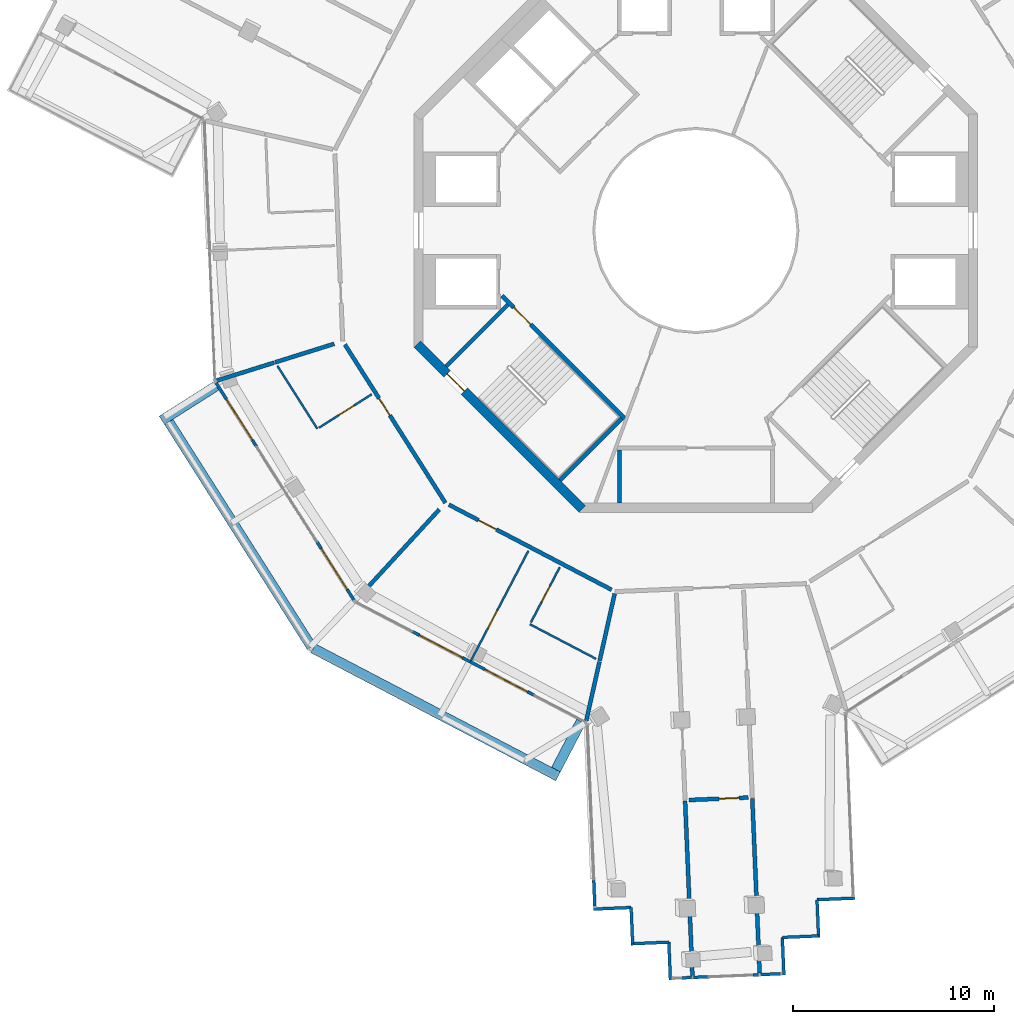
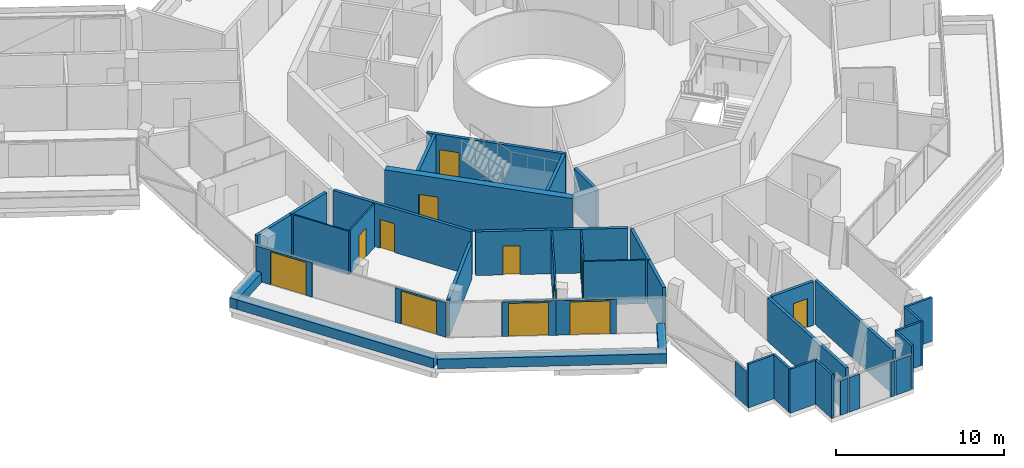
# One storey, part 15 of 23: 41 walls, 12 doors, 12 openings.
"""IFC4 building model written with IfcOpenShell, lengths in metres."""

from ifc_helpers import new_model, si_unit, direction, frame, frame_2d, origin, place, context, subcontext, project, spatial, rectangle, extrude, material, layer, layer_set, type_object, element, fill, save


model = new_model("IFC4")

# Units and contexts
model_context = context("Model", 3, precision=1e-05, world=origin(), true_north=direction((0.0, 1.0)))
body_context = subcontext(model_context, "Body", "Model", "MODEL_VIEW")
ifc_project = project(units=[si_unit("LENGTHUNIT", "METRE"), si_unit("AREAUNIT", "SQUARE_METRE"), si_unit("VOLUMEUNIT", "CUBIC_METRE"), si_unit("PLANEANGLEUNIT", "RADIAN"), si_unit("MASSUNIT", "GRAM", prefix="KILO")], contexts=[model_context])

# Site, building, storey
site_placement = place(None, origin())
site = spatial("IfcSite", under=ifc_project, at=site_placement, CompositionType="ELEMENT")
building_placement = place(site_placement, origin())
building = spatial("IfcBuilding", under=site, at=building_placement, Name="Verdalira Terraces Hotel", CompositionType="ELEMENT")
storey_placement = place(building_placement, frame((0.0, 0.0, 288.0)))
storey = spatial("IfcBuildingStorey", under=building, at=storey_placement, Name="L71", CompositionType="ELEMENT", Elevation=288.0)

# Walls
ifc_material_1 = material(Name="Concrete C40", Category="concrete")
ifc_layer_1 = layer(ifc_material_1, 0.5)
ifc_layer_set_1 = layer_set([ifc_layer_1], Name="Balcony planter trough with tree")
wall_type_1 = type_object("IfcWallType", Name="Balcony planter trough with tree", PredefinedType="SOLIDWALL", material=ifc_layer_set_1)
wall_1_placement = place(storey_placement, frame((-23.831787, -7.72168, 0.0), z_axis=(0.0, 0.0, 1.0), x_axis=(-0.844320788, -0.535838042, 0.0)))
element("IfcWall", 1, at=wall_1_placement, inside=storey, type_object=wall_type_1, Name="Balcony planter", PredefinedType="SOLIDWALL", context=body_context, shape_type="SweptSolid", body=[
    extrude(rectangle(XDim=3.198975, YDim=0.5, at=frame_2d((1.599609, 0.0))), origin(), (0.0, 0.0, 1.0), 0.699951),
])
wall_2_placement = place(storey_placement, frame((-26.187744, -9.512939, 0.0), z_axis=(0.0, 0.0, 1.0), x_axis=(0.535821402, -0.844331348, 0.0)))
element("IfcWall", 2, at=wall_2_placement, inside=storey, type_object=wall_type_1, Name="Balcony planter", PredefinedType="SOLIDWALL", context=body_context, shape_type="SweptSolid", body=[
    extrude(rectangle(XDim=13.223633, YDim=0.5, at=frame_2d((6.611816, 0.0))), origin(), (0.0, 0.0, 1.0), 0.699951),
])
wall_3_placement = place(storey_placement, frame((-19.00708, -20.765625, 0.0), z_axis=(0.0, 0.0, 1.0), x_axis=(0.886208346, -0.463286917, 0.0)))
element("IfcWall", 3, at=wall_3_placement, inside=storey, type_object=wall_type_1, Name="Balcony planter", PredefinedType="SOLIDWALL", context=body_context, shape_type="SweptSolid", body=[
    extrude(rectangle(XDim=13.723389, YDim=0.5, at=frame_2d((6.861816, 0.0))), origin(), (0.0, 0.0, 1.0), 0.699951),
])
wall_4_placement = place(storey_placement, frame((-6.950928, -26.786133, 0.0), z_axis=(0.0, 0.0, 1.0), x_axis=(0.463313949, 0.886194214, 0.0)))
element("IfcWall", 4, at=wall_4_placement, inside=storey, type_object=wall_type_1, Name="Balcony planter", PredefinedType="SOLIDWALL", context=body_context, shape_type="SweptSolid", body=[
    extrude(rectangle(XDim=2.698975, YDim=0.5, at=frame_2d((1.349609, 0.0))), origin(), (0.0, 0.0, 1.0), 0.699951),
])
ifc_material_2 = material(Name="Moisture-resistant gypsum board partition")
ifc_layer_2 = layer(ifc_material_2, 0.10009765625)
ifc_layer_set_2 = layer_set([ifc_layer_2], Name="Bathroom partition 100 mm")
wall_type_2 = type_object("IfcWallType", Name="Bathroom partition 100 mm", PredefinedType="PARTITIONING", material=ifc_layer_set_2)
wall_5_placement = place(storey_placement, frame((-18.806641, -9.852539, 0.0), z_axis=(0.0, 0.0, 1.0), x_axis=(-0.535851547, 0.844312217, 0.0)))
element("IfcWall", 5, at=wall_5_placement, inside=storey, type_object=wall_type_2, Name="Bathroom partition", PredefinedType="PARTITIONING", context=body_context, shape_type="SweptSolid", body=[
    extrude(rectangle(XDim=3.704102, YDim=0.100098, at=frame_2d((1.852051, 0.0))), origin(), (0.0, 0.0, 1.0), 3.189941),
])

# Wall, opening, door
wall_6_placement = place(storey_placement, frame((-18.722412, -9.799072, 0.0), z_axis=(0.0, 0.0, 1.0), x_axis=(0.844319142, 0.535840635, 0.0)))
wall_6 = element("IfcWall", 6, at=wall_6_placement, inside=storey, type_object=wall_type_2, Name="Bathroom partition", PredefinedType="PARTITIONING", context=body_context, shape_type="SweptSolid", body=[
    extrude(rectangle(XDim=3.100098, YDim=0.100098, at=frame_2d((1.550049, 0.0))), origin(), (0.0, 0.0, 1.0), 3.189941),
])
opening_1_placement = place(wall_6_placement, frame((1.149902, 0.0, 0.0)))
opening_1 = element("IfcOpeningElement", 7, at=opening_1_placement, cuts=wall_6, Name="Opening L71-109", PredefinedType="OPENING", context=body_context, shape_type="SweptSolid", body=[
    extrude(rectangle(XDim=0.899902, YDim=2.100098, at=frame_2d((0.449951, 1.050049))), frame((0.0, 0.060059, 0.0), z_axis=(0.0, -1.0, 0.0), x_axis=(1.0, 0.0, 0.0)), (0.0, 0.0, 1.0), 0.120117),
])
ifc_material_3 = material(Name="Timber door", Category="wood")
door_type_1 = type_object("IfcDoorType", Name="Bathroom door 900 x 2100", OperationType="NOTDEFINED", PredefinedType="DOOR", material=ifc_material_3)
door_1_placement = place(opening_1_placement, origin())
door_1 = element("IfcDoor", 8, at=door_1_placement, inside=storey, type_object=door_type_1, Name="Bathroom door 7103", OperationType="SINGLE_SWING_LEFT", OverallHeight=2.10009765625, OverallWidth=0.89990234375, PredefinedType="DOOR", context=body_context, shape_type="SweptSolid", body=[
    extrude(rectangle(XDim=0.899902, YDim=2.100098, at=frame_2d((0.449951, 1.050049))), frame((0.0, 0.024902, 0.0), z_axis=(0.0, -1.0, 0.0), x_axis=(1.0, 0.0, 0.0)), (0.0, 0.0, 1.0), 0.050049),
])
fill(opening_1, door_1)

wall_7_placement = place(storey_placement, frame((-8.320068, -15.914795, 0.0), z_axis=(0.0, 0.0, 1.0), x_axis=(-0.46327405, -0.886215072, 0.0)))
wall_7 = element("IfcWall", 9, at=wall_7_placement, inside=storey, type_object=wall_type_2, Name="Bathroom partition", PredefinedType="PARTITIONING", context=body_context, shape_type="SweptSolid", body=[
    extrude(rectangle(XDim=6.149902, YDim=0.100098, at=frame_2d((3.074951, 0.0))), origin(), (0.0, 0.0, 1.0), 3.189941),
])
opening_2_placement = place(wall_7_placement, frame((3.350098, 0.0, 0.0)))
opening_2 = element("IfcOpeningElement", 10, at=opening_2_placement, cuts=wall_7, Name="Opening L71-111", PredefinedType="OPENING", context=body_context, shape_type="SweptSolid", body=[
    extrude(rectangle(XDim=1.0, YDim=2.100098, at=frame_2d((0.5, 1.050049))), frame((0.0, 0.060059, 0.0), z_axis=(0.0, -1.0, 0.0), x_axis=(1.0, 0.0, 0.0)), (0.0, 0.0, 1.0), 0.120117),
])
ifc_material_4 = material(Name="Timber door", Category="wood")
door_type_2 = type_object("IfcDoorType", Name="Suite internal door 1000 x 2100", OperationType="NOTDEFINED", PredefinedType="DOOR", material=ifc_material_4)
door_2_placement = place(opening_2_placement, origin())
door_2 = element("IfcDoor", 11, at=door_2_placement, inside=storey, type_object=door_type_2, Name="Suite internal door 7104", OperationType="SINGLE_SWING_LEFT", OverallHeight=2.10009765625, OverallWidth=1.0, PredefinedType="DOOR", context=body_context, shape_type="SweptSolid", body=[
    extrude(rectangle(XDim=1.0, YDim=2.100098, at=frame_2d((0.5, 1.050049))), frame((0.0, 0.024902, 0.0), z_axis=(0.0, -1.0, 0.0), x_axis=(1.0, 0.0, 0.0)), (0.0, 0.0, 1.0), 0.050049),
])
fill(opening_2, door_2)

wall_8_placement = place(storey_placement, frame((-6.761719, -16.729492, 0.0), z_axis=(0.0, 0.0, 1.0), x_axis=(-0.463332934, -0.886184288, 0.0)))
wall_8 = element("IfcWall", 12, at=wall_8_placement, inside=storey, type_object=wall_type_2, Name="Bathroom partition", PredefinedType="PARTITIONING", context=body_context, shape_type="SweptSolid", body=[
    extrude(rectangle(XDim=3.099854, YDim=0.100098, at=frame_2d((1.549805, 0.0))), origin(), (0.0, 0.0, 1.0), 3.189941),
])
opening_3_placement = place(wall_8_placement, frame((1.050049, 0.0, 0.0)))
opening_3 = element("IfcOpeningElement", 13, at=opening_3_placement, cuts=wall_8, Name="Opening L71-112", PredefinedType="OPENING", context=body_context, shape_type="SweptSolid", body=[
    extrude(rectangle(XDim=0.899902, YDim=2.100098, at=frame_2d((0.449951, 1.050049))), frame((0.0, 0.060059, 0.0), z_axis=(0.0, -1.0, 0.0), x_axis=(1.0, 0.0, 0.0)), (0.0, 0.0, 1.0), 0.120117),
])
door_3_placement = place(opening_3_placement, origin())
door_3 = element("IfcDoor", 14, at=door_3_placement, inside=storey, type_object=door_type_1, Name="Bathroom door 7104", OperationType="SINGLE_SWING_RIGHT", OverallHeight=2.10009765625, OverallWidth=0.89990234375, PredefinedType="DOOR", context=body_context, shape_type="SweptSolid", body=[
    extrude(rectangle(XDim=0.899902, YDim=2.100098, at=frame_2d((0.449951, 1.050049))), frame((0.0, 0.024902, 0.0), z_axis=(0.0, -1.0, 0.0), x_axis=(1.0, 0.0, 0.0)), (0.0, 0.0, 1.0), 0.050049),
])
fill(opening_3, door_3)

# Walls
wall_9_placement = place(storey_placement, frame((-8.244385, -19.565186, 0.0), z_axis=(0.0, 0.0, 1.0), x_axis=(0.886200227, -0.463302447, 0.0)))
element("IfcWall", 15, at=wall_9_placement, inside=storey, type_object=wall_type_2, Name="Bathroom partition", PredefinedType="PARTITIONING", context=body_context, shape_type="SweptSolid", body=[
    extrude(rectangle(XDim=3.704102, YDim=0.100098, at=frame_2d((1.852051, 0.0))), origin(), (0.0, 0.0, 1.0), 3.189941),
])
ifc_material_5 = material(Name="Concrete C50", Category="concrete")
ifc_layer_3 = layer(ifc_material_5, 0.199951171875)
ifc_layer_set_3 = layer_set([ifc_layer_3], Name="Core RC wall 200 C50")
wall_type_3 = type_object("IfcWallType", Name="Core RC wall 200 C50", PredefinedType="SOLIDWALL", material=ifc_layer_set_3)
wall_10_placement = place(storey_placement, frame((-3.800049, -10.899902, 0.0), z_axis=(0.0, 0.0, 1.0), x_axis=(0.0, -1.0, 0.0)))
element("IfcWall", 16, at=wall_10_placement, inside=storey, type_object=wall_type_3, Name="L71 store side wall", PredefinedType="SOLIDWALL", context=body_context, shape_type="SweptSolid", body=[
    extrude(rectangle(XDim=2.650146, YDim=0.199951, at=frame_2d((1.325195, 0.0))), origin(), (0.0, 0.0, 1.0), 3.189941),
])

# Wall, opening, door
wall_11_placement = place(storey_placement, frame((-3.5354, -9.33374, 0.0), z_axis=(0.0, 0.0, 1.0), x_axis=(-0.707120946, 0.707092617, 0.0)))
wall_11 = element("IfcWall", 17, at=wall_11_placement, inside=storey, type_object=wall_type_3, Name="L71 stair ST2 front wall", PredefinedType="SOLIDWALL", context=body_context, shape_type="SweptSolid", body=[
    extrude(rectangle(XDim=8.61792, YDim=0.199951, at=frame_2d((4.309082, 0.0))), origin(), (0.0, 0.0, 1.0), 3.189941),
])
opening_4_placement = place(wall_11_placement, frame((6.600098, 0.0, 0.0)))
opening_4 = element("IfcOpeningElement", 18, at=opening_4_placement, cuts=wall_11, Name="Opening L71-811", PredefinedType="OPENING", context=body_context, shape_type="SweptSolid", body=[
    extrude(rectangle(XDim=1.199951, YDim=2.100098, at=frame_2d((0.600098, 1.050049))), frame((0.0, 0.109863, 0.0), z_axis=(0.0, -1.0, 0.0), x_axis=(1.0, 0.0, 0.0)), (0.0, 0.0, 1.0), 0.219971),
])
ifc_material_6 = material(Name="Steel fire door", Category="steel")
door_type_3 = type_object("IfcDoorType", Name="Stair door 1200 x 2100", OperationType="NOTDEFINED", PredefinedType="DOOR", material=ifc_material_6)
door_4_placement = place(opening_4_placement, origin())
door_4 = element("IfcDoor", 19, at=door_4_placement, inside=storey, type_object=door_type_3, Name="Stair door ST2 L71", OperationType="SINGLE_SWING_RIGHT", OverallHeight=2.10009765625, OverallWidth=1.199951171875, PredefinedType="DOOR", context=body_context, shape_type="SweptSolid", body=[
    extrude(rectangle(XDim=1.199951, YDim=2.100098, at=frame_2d((0.600098, 1.050049))), frame((0.0, 0.024902, 0.0), z_axis=(0.0, -1.0, 0.0), x_axis=(1.0, 0.0, 0.0)), (0.0, 0.0, 1.0), 0.050049),
])
fill(opening_4, door_4)

# Walls
for number, where, z_axis, x_axis, name in (
    (20, (-9.33374, -3.677002, 0.0), (0.0, 0.0, 1.0), (-0.707106781, -0.707106781, 0.0), "L71 stair ST2 end wall 1"),
    (21, (-3.677002, -9.33374, 0.0), (0.0, 0.0, 1.0), (-0.707106781, -0.707106781, 0.0), "L71 stair ST2 end wall 2"),
):
    element("IfcWall", number, at=place(storey_placement, frame(where, z_axis=z_axis, x_axis=x_axis)), inside=storey, type_object=wall_type_3, Name=name, PredefinedType="SOLIDWALL", context=body_context, shape_type="SweptSolid", body=[
        extrude(rectangle(XDim=4.350098, YDim=0.199951, at=frame_2d((2.175049, 0.0))), origin(), (0.0, 0.0, 1.0), 3.189941),
    ])

# Wall, opening, door
ifc_material_7 = material(Name="Concrete C50", Category="concrete")
ifc_layer_4 = layer(ifc_material_7, 0.449951171875)
ifc_layer_set_4 = layer_set([ifc_layer_4], Name="Core wall 450 C50")
wall_type_4 = type_object("IfcWallType", Name="Core wall 450 C50", PredefinedType="SHEAR", material=ifc_layer_set_4)
wall_12_placement = place(storey_placement, frame((-13.84082, -5.639893, 0.0), z_axis=(0.0, 0.0, 1.0), x_axis=(0.707106781, -0.707106781, 0.0)))
wall_12 = element("IfcWall", 22, at=wall_12_placement, inside=storey, type_object=wall_type_4, Name="Core wall CW-L71-6", PredefinedType="SHEAR", context=body_context, shape_type="SweptSolid", body=[
    extrude(rectangle(XDim=11.5979, YDim=0.449951, at=frame_2d((5.798828, 0.0))), origin(), (0.0, 0.0, 1.0), 3.5),
])
opening_5_placement = place(wall_12_placement, frame((2.099121, 0.0, 0.0)))
opening_5 = element("IfcOpeningElement", 23, at=opening_5_placement, cuts=wall_12, Name="Opening L71-817", PredefinedType="OPENING", context=body_context, shape_type="SweptSolid", body=[
    extrude(rectangle(XDim=1.199951, YDim=2.100098, at=frame_2d((0.600098, 1.050049))), frame((0.0, 0.234863, 0.0), z_axis=(0.0, -1.0, 0.0), x_axis=(1.0, 0.0, 0.0)), (0.0, 0.0, 1.0), 0.469971),
])
door_5_placement = place(opening_5_placement, origin())
door_5 = element("IfcDoor", 24, at=door_5_placement, inside=storey, type_object=door_type_3, Name="Stair exit door ST2 L71", OperationType="SINGLE_SWING_LEFT", OverallHeight=2.10009765625, OverallWidth=1.199951171875, PredefinedType="DOOR", context=body_context, shape_type="SweptSolid", body=[
    extrude(rectangle(XDim=1.199951, YDim=2.100098, at=frame_2d((0.600098, 1.050049))), frame((0.0, 0.024902, 0.0), z_axis=(0.0, -1.0, 0.0), x_axis=(1.0, 0.0, 0.0)), (0.0, 0.0, 1.0), 0.050049),
])
fill(opening_5, door_5)

# Walls
ifc_material_8 = material(Name="Fire-rated gypsum board wall")
ifc_layer_5 = layer(ifc_material_8, 0.199951171875)
ifc_layer_set_5 = layer_set([ifc_layer_5], Name="Demising wall 200 mm")
wall_type_5 = type_object("IfcWallType", Name="Demising wall 200 mm", PredefinedType="SOLIDWALL", material=ifc_layer_set_5)
wall_13_placement = place(storey_placement, frame((-20.947998, -6.564697, 0.0), z_axis=(0.0, 0.0, 1.0), x_axis=(-0.954235882, -0.29905498, 0.0)))
element("IfcWall", 25, at=wall_13_placement, inside=storey, type_object=wall_type_5, Name="Demising wall", PredefinedType="SOLIDWALL", context=body_context, shape_type="SweptSolid", body=[
    extrude(rectangle(XDim=3.011719, YDim=0.199951, at=frame_2d((1.505859, 0.0))), origin(), (0.0, 0.0, 1.0), 3.189941),
])
wall_14_placement = place(storey_placement, frame((-17.970215, -5.631592, 0.0), z_axis=(0.0, 0.0, 1.0), x_axis=(-0.954245152, -0.299025399, 0.0)))
element("IfcWall", 26, at=wall_14_placement, inside=storey, type_object=wall_type_5, Name="Demising wall", PredefinedType="SOLIDWALL", context=body_context, shape_type="SweptSolid", body=[
    extrude(rectangle(XDim=3.074707, YDim=0.199951, at=frame_2d((1.537354, 0.0))), origin(), (0.0, 0.0, 1.0), 3.189941),
])
wall_15_placement = place(storey_placement, frame((-5.445801, -24.362793, 0.0), z_axis=(0.0, 0.0, 1.0), x_axis=(0.218175034, 0.975909655, 0.0)))
element("IfcWall", 27, at=wall_15_placement, inside=storey, type_object=wall_type_5, Name="Demising wall", PredefinedType="SOLIDWALL", context=body_context, shape_type="SweptSolid", body=[
    extrude(rectangle(XDim=3.01123, YDim=0.199951, at=frame_2d((1.505615, 0.0))), origin(), (0.0, 0.0, 1.0), 3.189941),
])
wall_16_placement = place(storey_placement, frame((-4.778809, -21.37915, 0.0), z_axis=(0.0, 0.0, 1.0), x_axis=(0.218109953, 0.975924202, 0.0)))
element("IfcWall", 28, at=wall_16_placement, inside=storey, type_object=wall_type_5, Name="Demising wall", PredefinedType="SOLIDWALL", context=body_context, shape_type="SweptSolid", body=[
    extrude(rectangle(XDim=3.418457, YDim=0.199951, at=frame_2d((1.709229, 0.0))), origin(), (0.0, 0.0, 1.0), 3.189941),
])
wall_17_placement = place(storey_placement, frame((-0.532715, -28.353516, 0.0), z_axis=(0.0, 0.0, 1.0), x_axis=(0.041867644, -0.999123166, 0.0)))
element("IfcWall", 29, at=wall_17_placement, inside=storey, type_object=wall_type_5, Name="Demising wall", PredefinedType="SOLIDWALL", context=body_context, shape_type="SweptSolid", body=[
    extrude(rectangle(XDim=8.694336, YDim=0.199951, at=frame_2d((4.347168, 0.0))), origin(), (0.0, 0.0, 1.0), 3.189941),
])

# Wall, opening, door
wall_18_placement = place(storey_placement, frame((2.60376, -28.174072, 0.0), z_axis=(0.0, 0.0, 1.0), x_axis=(-0.999124565, -0.041834243, 0.0)))
wall_18 = element("IfcWall", 30, at=wall_18_placement, inside=storey, type_object=wall_type_5, Name="Demising wall", PredefinedType="SOLIDWALL", context=body_context, shape_type="SweptSolid", body=[
    extrude(rectangle(XDim=2.941406, YDim=0.199951, at=frame_2d((1.470703, 0.0))), origin(), (0.0, 0.0, 1.0), 3.189941),
])
opening_6_placement = place(wall_18_placement, frame((0.449951, 0.0, 0.0)))
opening_6 = element("IfcOpeningElement", 31, at=opening_6_placement, cuts=wall_18, Name="Opening L71-116", PredefinedType="OPENING", context=body_context, shape_type="SweptSolid", body=[
    extrude(rectangle(XDim=1.0, YDim=2.100098, at=frame_2d((0.5, 1.050049))), frame((0.0, 0.109863, 0.0), z_axis=(0.0, -1.0, 0.0), x_axis=(1.0, 0.0, 0.0)), (0.0, 0.0, 1.0), 0.219971),
])
ifc_material_9 = material(Name="Timber fire door", Category="wood")
door_type_4 = type_object("IfcDoorType", Name="Public room door 1000 x 2100", OperationType="NOTDEFINED", PredefinedType="DOOR", material=ifc_material_9)
door_6_placement = place(opening_6_placement, origin())
door_6 = element("IfcDoor", 32, at=door_6_placement, inside=storey, type_object=door_type_4, Name="Public room door 7105", OperationType="SINGLE_SWING_LEFT", OverallHeight=2.10009765625, OverallWidth=1.0, PredefinedType="DOOR", context=body_context, shape_type="SweptSolid", body=[
    extrude(rectangle(XDim=1.0, YDim=2.100098, at=frame_2d((0.5, 1.050049))), frame((0.0, 0.024902, 0.0), z_axis=(0.0, -1.0, 0.0), x_axis=(1.0, 0.0, 0.0)), (0.0, 0.0, 1.0), 0.050049),
])
fill(opening_6, door_6)

# Walls
wall_19_placement = place(storey_placement, frame((3.169678, -36.900391, 0.0), z_axis=(0.0, 0.0, 1.0), x_axis=(-0.041895675, 0.999121991, 0.0)))
element("IfcWall", 33, at=wall_19_placement, inside=storey, type_object=wall_type_5, Name="Demising wall", PredefinedType="SOLIDWALL", context=body_context, shape_type="SweptSolid", body=[
    extrude(rectangle(XDim=8.694336, YDim=0.199951, at=frame_2d((4.347168, 0.0))), origin(), (0.0, 0.0, 1.0), 3.189941),
])
ifc_material_10 = material(Name="Fire-rated gypsum board wall")
ifc_layer_6 = layer(ifc_material_10, 0.199951171875)
ifc_layer_set_6 = layer_set([ifc_layer_6], Name="Demising wall 200 mm to beam soffit")
wall_type_6 = type_object("IfcWallType", Name="Demising wall 200 mm to beam soffit", PredefinedType="SOLIDWALL", material=ifc_layer_set_6)
wall_20_placement = place(storey_placement, frame((-12.74707, -13.862305, 0.0), z_axis=(0.0, 0.0, 1.0), x_axis=(-0.676863295, -0.736108742, 0.0)))
element("IfcWall", 34, at=wall_20_placement, inside=storey, type_object=wall_type_6, Name="Demising wall", PredefinedType="SOLIDWALL", context=body_context, shape_type="SweptSolid", body=[
    extrude(rectangle(XDim=6.131836, YDim=0.199951, at=frame_2d((3.065918, 0.0))), origin(), (0.0, 0.0, 1.0), 2.689941),
])

# Wall, opening, door
ifc_material_11 = material(Name="Fire-rated gypsum board wall")
ifc_layer_7 = layer(ifc_material_11, 0.199951171875)
ifc_layer_set_7 = layer_set([ifc_layer_7], Name="Guest corridor wall 200 mm")
wall_type_7 = type_object("IfcWallType", Name="Guest corridor wall 200 mm", PredefinedType="SOLIDWALL", material=ifc_layer_set_7)
wall_21_placement = place(storey_placement, frame((-12.444092, -13.532959, 0.0), z_axis=(0.0, 0.0, 1.0), x_axis=(-0.535837373, 0.844321212, 0.0)))
wall_21 = element("IfcWall", 35, at=wall_21_placement, inside=storey, type_object=wall_type_7, Name="Guest corridor wall", PredefinedType="SOLIDWALL", context=body_context, shape_type="SweptSolid", body=[
    extrude(rectangle(XDim=9.31665, YDim=0.199951, at=frame_2d((4.658203, 0.0))), origin(), (0.0, 0.0, 1.0), 3.189941),
])
opening_7_placement = place(wall_21_placement, frame((5.149902, 0.0, 0.0)))
opening_7 = element("IfcOpeningElement", 36, at=opening_7_placement, cuts=wall_21, Name="Opening L71-108", PredefinedType="OPENING", context=body_context, shape_type="SweptSolid", body=[
    extrude(rectangle(XDim=1.0, YDim=2.100098, at=frame_2d((0.5, 1.050049))), frame((0.0, 0.109863, 0.0), z_axis=(0.0, -1.0, 0.0), x_axis=(1.0, 0.0, 0.0)), (0.0, 0.0, 1.0), 0.219971),
])
ifc_material_12 = material(Name="Timber fire door", Category="wood")
door_type_5 = type_object("IfcDoorType", Name="Guest entry door 1000 x 2100", OperationType="NOTDEFINED", PredefinedType="DOOR", material=ifc_material_12)
door_7_placement = place(opening_7_placement, origin())
door_7 = element("IfcDoor", 37, at=door_7_placement, inside=storey, type_object=door_type_5, Name="Guest entry door 7103", OperationType="SINGLE_SWING_LEFT", OverallHeight=2.10009765625, OverallWidth=1.0, PredefinedType="DOOR", context=body_context, shape_type="SweptSolid", body=[
    extrude(rectangle(XDim=1.0, YDim=2.100098, at=frame_2d((0.5, 1.050049))), frame((0.0, 0.024902, 0.0), z_axis=(0.0, -1.0, 0.0), x_axis=(1.0, 0.0, 0.0)), (0.0, 0.0, 1.0), 0.050049),
])
fill(opening_7, door_7)

wall_22_placement = place(storey_placement, frame((-4.187744, -17.849365, 0.0), z_axis=(0.0, 0.0, 1.0), x_axis=(-0.886199207, 0.463304399, 0.0)))
wall_22 = element("IfcWall", 38, at=wall_22_placement, inside=storey, type_object=wall_type_7, Name="Guest corridor wall", PredefinedType="SOLIDWALL", context=body_context, shape_type="SweptSolid", body=[
    extrude(rectangle(XDim=9.116943, YDim=0.199951, at=frame_2d((4.558594, 0.0))), origin(), (0.0, 0.0, 1.0), 3.189941),
])
opening_8_placement = place(wall_22_placement, frame((6.458252, 0.0, 0.0)))
opening_8 = element("IfcOpeningElement", 39, at=opening_8_placement, cuts=wall_22, Name="Opening L71-110", PredefinedType="OPENING", context=body_context, shape_type="SweptSolid", body=[
    extrude(rectangle(XDim=1.0, YDim=2.100098, at=frame_2d((0.5, 1.050049))), frame((0.0, 0.109863, 0.0), z_axis=(0.0, -1.0, 0.0), x_axis=(1.0, 0.0, 0.0)), (0.0, 0.0, 1.0), 0.219971),
])
door_8_placement = place(opening_8_placement, origin())
door_8 = element("IfcDoor", 40, at=door_8_placement, inside=storey, type_object=door_type_5, Name="Guest entry door 7104", OperationType="SINGLE_SWING_LEFT", OverallHeight=2.10009765625, OverallWidth=1.0, PredefinedType="DOOR", context=body_context, shape_type="SweptSolid", body=[
    extrude(rectangle(XDim=1.0, YDim=2.100098, at=frame_2d((0.5, 1.050049))), frame((0.0, 0.024902, 0.0), z_axis=(0.0, -1.0, 0.0), x_axis=(1.0, 0.0, 0.0)), (0.0, 0.0, 1.0), 0.050049),
])
fill(opening_8, door_8)

# Walls
ifc_material_13 = material(Name="Terracotta cladding", Category="masonry")
ifc_layer_8 = layer(ifc_material_13, 0.14990234375)
ifc_layer_set_8 = layer_set([ifc_layer_8], Name="Terracotta clad wall 150")
wall_type_8 = type_object("IfcWallType", Name="Terracotta clad wall 150", PredefinedType="SOLIDWALL", material=ifc_layer_set_8)
wall_23_placement = place(storey_placement, frame((-5.092529, -33.718506, 0.0), z_axis=(0.0, 0.0, 1.0), x_axis=(0.999120617, 0.041928429, 0.0)))
element("IfcWall", 41, at=wall_23_placement, inside=storey, type_object=wall_type_8, Name="Terracotta cladding wall", PredefinedType="SOLIDWALL", context=body_context, shape_type="SweptSolid", body=[
    extrude(rectangle(XDim=1.875, YDim=0.149902, at=frame_2d((0.9375, 0.0))), origin(), (0.0, 0.0, 1.0), 3.189941),
])
wall_24_placement = place(storey_placement, frame((-3.219238, -33.639893, 0.0), z_axis=(0.0, 0.0, 1.0), x_axis=(0.041906957, -0.999121518, 0.0)))
element("IfcWall", 42, at=wall_24_placement, inside=storey, type_object=wall_type_8, Name="Terracotta cladding wall", PredefinedType="SOLIDWALL", context=body_context, shape_type="SweptSolid", body=[
    extrude(rectangle(XDim=1.800049, YDim=0.149902, at=frame_2d((0.899902, 0.0))), origin(), (0.0, 0.0, 1.0), 3.189941),
])
wall_25_placement = place(storey_placement, frame((-3.21875, -35.44165, 0.0), z_axis=(0.0, 0.0, 1.0), x_axis=(0.999120846, 0.041922975, 0.0)))
element("IfcWall", 43, at=wall_25_placement, inside=storey, type_object=wall_type_8, Name="Terracotta cladding wall", PredefinedType="SOLIDWALL", context=body_context, shape_type="SweptSolid", body=[
    extrude(rectangle(XDim=1.875244, YDim=0.149902, at=frame_2d((0.9375, 0.0))), origin(), (0.0, 0.0, 1.0), 3.189941),
])
for number, where, z_axis, x_axis, name in (
    (44, (-1.345215, -35.363037, 0.0), (0.0, 0.0, 1.0), (0.041798445, -0.999126063, 0.0), "Terracotta cladding wall"),
    (45, (4.378174, -36.999756, 0.0), (0.0, 0.0, 1.0), (-0.041798445, 0.999126063, 0.0), "Terracotta cladding wall"),
):
    element("IfcWall", number, at=place(storey_placement, frame(where, z_axis=z_axis, x_axis=x_axis)), inside=storey, type_object=wall_type_8, Name=name, PredefinedType="SOLIDWALL", context=body_context, shape_type="SweptSolid", body=[
        extrude(rectangle(XDim=1.875, YDim=0.149902, at=frame_2d((0.9375, 0.0))), origin(), (0.0, 0.0, 1.0), 3.189941),
    ])
wall_26_placement = place(storey_placement, frame((4.299805, -35.126465, 0.0), z_axis=(0.0, 0.0, 1.0), x_axis=(0.999121279, 0.041912636, 0.0)))
element("IfcWall", 46, at=wall_26_placement, inside=storey, type_object=wall_type_8, Name="Terracotta cladding wall", PredefinedType="SOLIDWALL", context=body_context, shape_type="SweptSolid", body=[
    extrude(rectangle(XDim=1.799805, YDim=0.149902, at=frame_2d((0.899902, 0.0))), origin(), (0.0, 0.0, 1.0), 3.189941),
])
for number, where, z_axis, x_axis, name in (
    (47, (6.101318, -35.125977, 0.0), (0.0, 0.0, 1.0), (-0.041928429, 0.999120617, 0.0), "Terracotta cladding wall"),
    (48, (6.022705, -33.252686, 0.0), (0.0, 0.0, 1.0), (0.999120617, 0.041928429, 0.0), "Terracotta cladding wall"),
):
    element("IfcWall", number, at=place(storey_placement, frame(where, z_axis=z_axis, x_axis=x_axis)), inside=storey, type_object=wall_type_8, Name=name, PredefinedType="SOLIDWALL", context=body_context, shape_type="SweptSolid", body=[
        extrude(rectangle(XDim=1.875, YDim=0.149902, at=frame_2d((0.9375, 0.0))), origin(), (0.0, 0.0, 1.0), 3.189941),
    ])
ifc_material_14 = material(Name="Terracotta cladding", Category="masonry")
ifc_layer_9 = layer(ifc_material_14, 0.14990234375)
ifc_layer_set_9 = layer_set([ifc_layer_9], Name="Terracotta column pier 150")
wall_type_9 = type_object("IfcWallType", Name="Terracotta column pier 150", PredefinedType="SOLIDWALL", material=ifc_layer_set_9)
wall_27_placement = place(storey_placement, frame((-5.076904, -32.301514, 0.0), z_axis=(0.0, 0.0, 1.0), x_axis=(0.041902373, -0.99912171, 0.0)))
element("IfcWall", 49, at=wall_27_placement, inside=storey, type_object=wall_type_9, Name="Terracotta column pier", PredefinedType="SOLIDWALL", context=body_context, shape_type="SweptSolid", body=[
    extrude(rectangle(XDim=1.270264, YDim=0.149902, at=frame_2d((0.635254, 0.0))), origin(), (0.0, 0.0, 1.0), 2.524902),
])
wall_28_placement = place(storey_placement, frame((-0.715332, -37.138184, 0.0), z_axis=(0.0, 0.0, 1.0), x_axis=(0.999133073, 0.041630545, 0.0)))
element("IfcWall", 50, at=wall_28_placement, inside=storey, type_object=wall_type_9, Name="Terracotta column pier", PredefinedType="SOLIDWALL", context=body_context, shape_type="SweptSolid", body=[
    extrude(rectangle(XDim=0.510254, YDim=0.149902, at=frame_2d((0.255127, 0.0))), origin(), (0.0, 0.0, 1.0), 2.524902),
])
wall_29_placement = place(storey_placement, frame((-0.125488, -37.113525, 0.0), z_axis=(0.0, 0.0, 1.0), x_axis=(0.999126426, 0.041789771, 0.0)))
element("IfcWall", 51, at=wall_29_placement, inside=storey, type_object=wall_type_9, Name="Terracotta column pier", PredefinedType="SOLIDWALL", context=body_context, shape_type="SweptSolid", body=[
    extrude(rectangle(XDim=0.765381, YDim=0.149902, at=frame_2d((0.382812, 0.0))), origin(), (0.0, 0.0, 1.0), 2.524902),
])
wall_30_placement = place(storey_placement, frame((2.833008, -36.989502, 0.0), z_axis=(0.0, 0.0, 1.0), x_axis=(0.999138704, 0.041495174, 0.0)))
element("IfcWall", 52, at=wall_30_placement, inside=storey, type_object=wall_type_9, Name="Terracotta column pier", PredefinedType="SOLIDWALL", context=body_context, shape_type="SweptSolid", body=[
    extrude(rectangle(XDim=0.300049, YDim=0.149902, at=frame_2d((0.149902, 0.0))), origin(), (0.0, 0.0, 1.0), 2.524902),
])
wall_31_placement = place(storey_placement, frame((3.212646, -36.973633, 0.0), z_axis=(0.0, 0.0, 1.0), x_axis=(0.999122552, 0.041882288, 0.0)))
element("IfcWall", 53, at=wall_31_placement, inside=storey, type_object=wall_type_9, Name="Terracotta column pier", PredefinedType="SOLIDWALL", context=body_context, shape_type="SweptSolid", body=[
    extrude(rectangle(XDim=1.008545, YDim=0.149902, at=frame_2d((0.504395, 0.0))), origin(), (0.0, 0.0, 1.0), 2.524902),
])

# Wall, opening, door
ifc_material_15 = material(Name="Terracotta cladding", Category="masonry")
ifc_layer_10 = layer(ifc_material_15, 0.14990234375)
ifc_layer_set_10 = layer_set([ifc_layer_10], Name="Terracotta door pier 150")
wall_type_10 = type_object("IfcWallType", Name="Terracotta door pier 150", PredefinedType="SOLIDWALL", material=ifc_layer_set_10)
wall_32_placement = place(storey_placement, frame((-23.8479, -7.554443, 0.0), z_axis=(0.0, 0.0, 1.0), x_axis=(0.535827975, -0.844327176, 0.0)))
wall_32 = element("IfcWall", 54, at=wall_32_placement, inside=storey, type_object=wall_type_10, Name="Terracotta door pier", PredefinedType="SOLIDWALL", context=body_context, shape_type="SweptSolid", body=[
    extrude(rectangle(XDim=3.786865, YDim=0.149902, at=frame_2d((1.893555, 0.0))), origin(), (0.0, 0.0, 1.0), 2.524902),
])
opening_9_placement = place(wall_32_placement, frame((0.986572, 0.0, 0.0)))
opening_9 = element("IfcOpeningElement", 55, at=opening_9_placement, cuts=wall_32, Name="Opening L71-B04", PredefinedType="OPENING", context=body_context, shape_type="SweptSolid", body=[
    extrude(rectangle(XDim=2.399902, YDim=2.399902, at=frame_2d((1.199951, 1.199951))), frame((0.0, 0.084961, 0.0), z_axis=(0.0, -1.0, 0.0), x_axis=(1.0, 0.0, 0.0)), (0.0, 0.0, 1.0), 0.169922),
])
ifc_material_16 = material(Name="Clear glass", Category="glass")
door_type_6 = type_object("IfcDoorType", Name="Balcony sliding door 2400x2400", OperationType="NOTDEFINED", PredefinedType="DOOR", material=ifc_material_16)
door_9_placement = place(opening_9_placement, origin())
door_9 = element("IfcDoor", 56, at=door_9_placement, inside=storey, type_object=door_type_6, Name="Balcony sliding door", OperationType="SLIDING_TO_LEFT", OverallHeight=2.39990234375, OverallWidth=2.39990234375, PredefinedType="DOOR", context=body_context, shape_type="SweptSolid", body=[
    extrude(rectangle(XDim=2.399902, YDim=2.399902, at=frame_2d((1.199951, 1.199951))), frame((0.0, 0.024902, 0.0), z_axis=(0.0, -1.0, 0.0), x_axis=(1.0, 0.0, 0.0)), (0.0, 0.0, 1.0), 0.050049),
])
fill(opening_9, door_9)

wall_33_placement = place(storey_placement, frame((-18.825684, -15.468262, 0.0), z_axis=(0.0, 0.0, 1.0), x_axis=(0.53583323, -0.844323842, 0.0)))
wall_33 = element("IfcWall", 57, at=wall_33_placement, inside=storey, type_object=wall_type_10, Name="Terracotta door pier", PredefinedType="SOLIDWALL", context=body_context, shape_type="SweptSolid", body=[
    extrude(rectangle(XDim=3.426758, YDim=0.149902, at=frame_2d((1.713379, 0.0))), origin(), (0.0, 0.0, 1.0), 2.524902),
])
opening_10_placement = place(wall_33_placement, frame((0.399902, 0.0, 0.0)))
opening_10 = element("IfcOpeningElement", 58, at=opening_10_placement, cuts=wall_33, Name="Opening L71-B05", PredefinedType="OPENING", context=body_context, shape_type="SweptSolid", body=[
    extrude(rectangle(XDim=2.399902, YDim=2.399902, at=frame_2d((1.199951, 1.199951))), frame((0.0, 0.084961, 0.0), z_axis=(0.0, -1.0, 0.0), x_axis=(1.0, 0.0, 0.0)), (0.0, 0.0, 1.0), 0.169922),
])
door_10_placement = place(opening_10_placement, origin())
door_10 = element("IfcDoor", 59, at=door_10_placement, inside=storey, type_object=door_type_6, Name="Balcony sliding door", OperationType="SLIDING_TO_RIGHT", OverallHeight=2.39990234375, OverallWidth=2.39990234375, PredefinedType="DOOR", context=body_context, shape_type="SweptSolid", body=[
    extrude(rectangle(XDim=2.399902, YDim=2.399902, at=frame_2d((1.199951, 1.199951))), frame((0.0, 0.024902, 0.0), z_axis=(0.0, -1.0, 0.0), x_axis=(1.0, 0.0, 0.0)), (0.0, 0.0, 1.0), 0.050049),
])
fill(opening_10, door_10)

wall_34_placement = place(storey_placement, frame((-14.084229, -19.925537, 0.0), z_axis=(0.0, 0.0, 1.0), x_axis=(0.886182685, -0.463336001, 0.0)))
wall_34 = element("IfcWall", 60, at=wall_34_placement, inside=storey, type_object=wall_type_10, Name="Terracotta door pier", PredefinedType="SOLIDWALL", context=body_context, shape_type="SweptSolid", body=[
    extrude(rectangle(XDim=3.25, YDim=0.149902, at=frame_2d((1.625, 0.0))), origin(), (0.0, 0.0, 1.0), 2.524902),
])
opening_11_placement = place(wall_34_placement, frame((0.399902, 0.0, 0.0)))
opening_11 = element("IfcOpeningElement", 61, at=opening_11_placement, cuts=wall_34, Name="Opening L71-B06", PredefinedType="OPENING", context=body_context, shape_type="SweptSolid", body=[
    extrude(rectangle(XDim=2.399902, YDim=2.399902, at=frame_2d((1.199951, 1.199951))), frame((0.0, 0.084961, 0.0), z_axis=(0.0, -1.0, 0.0), x_axis=(1.0, 0.0, 0.0)), (0.0, 0.0, 1.0), 0.169922),
])
door_11_placement = place(opening_11_placement, origin())
door_11 = element("IfcDoor", 62, at=door_11_placement, inside=storey, type_object=door_type_6, Name="Balcony sliding door", OperationType="SLIDING_TO_RIGHT", OverallHeight=2.39990234375, OverallWidth=2.39990234375, PredefinedType="DOOR", context=body_context, shape_type="SweptSolid", body=[
    extrude(rectangle(XDim=2.399902, YDim=2.399902, at=frame_2d((1.199951, 1.199951))), frame((0.0, 0.024902, 0.0), z_axis=(0.0, -1.0, 0.0), x_axis=(1.0, 0.0, 0.0)), (0.0, 0.0, 1.0), 0.050049),
])
fill(opening_11, door_11)

wall_35_placement = place(storey_placement, frame((-11.204102, -21.431396, 0.0), z_axis=(0.0, 0.0, 1.0), x_axis=(0.886209674, -0.463284377, 0.0)))
wall_35 = element("IfcWall", 63, at=wall_35_placement, inside=storey, type_object=wall_type_10, Name="Terracotta door pier", PredefinedType="SOLIDWALL", context=body_context, shape_type="SweptSolid", body=[
    extrude(rectangle(XDim=3.611328, YDim=0.149902, at=frame_2d((1.805664, 0.0))), origin(), (0.0, 0.0, 1.0), 2.524902),
])
opening_12_placement = place(wall_35_placement, frame((0.811279, 0.0, 0.0)))
opening_12 = element("IfcOpeningElement", 64, at=opening_12_placement, cuts=wall_35, Name="Opening L71-B07", PredefinedType="OPENING", context=body_context, shape_type="SweptSolid", body=[
    extrude(rectangle(XDim=2.399902, YDim=2.399902, at=frame_2d((1.199951, 1.199951))), frame((0.0, 0.084961, 0.0), z_axis=(0.0, -1.0, 0.0), x_axis=(1.0, 0.0, 0.0)), (0.0, 0.0, 1.0), 0.169922),
])
door_12_placement = place(opening_12_placement, origin())
door_12 = element("IfcDoor", 65, at=door_12_placement, inside=storey, type_object=door_type_6, Name="Balcony sliding door", OperationType="SLIDING_TO_LEFT", OverallHeight=2.39990234375, OverallWidth=2.39990234375, PredefinedType="DOOR", context=body_context, shape_type="SweptSolid", body=[
    extrude(rectangle(XDim=2.399902, YDim=2.399902, at=frame_2d((1.199951, 1.199951))), frame((0.0, 0.024902, 0.0), z_axis=(0.0, -1.0, 0.0), x_axis=(1.0, 0.0, 0.0)), (0.0, 0.0, 1.0), 0.050049),
])
fill(opening_12, door_12)

save(model, "model.ifc")
